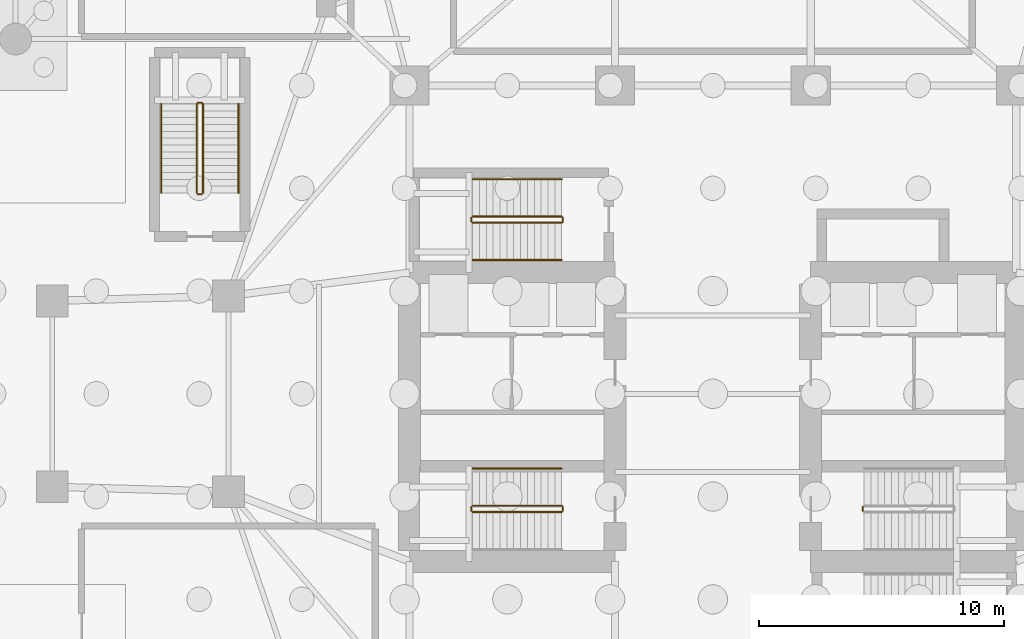
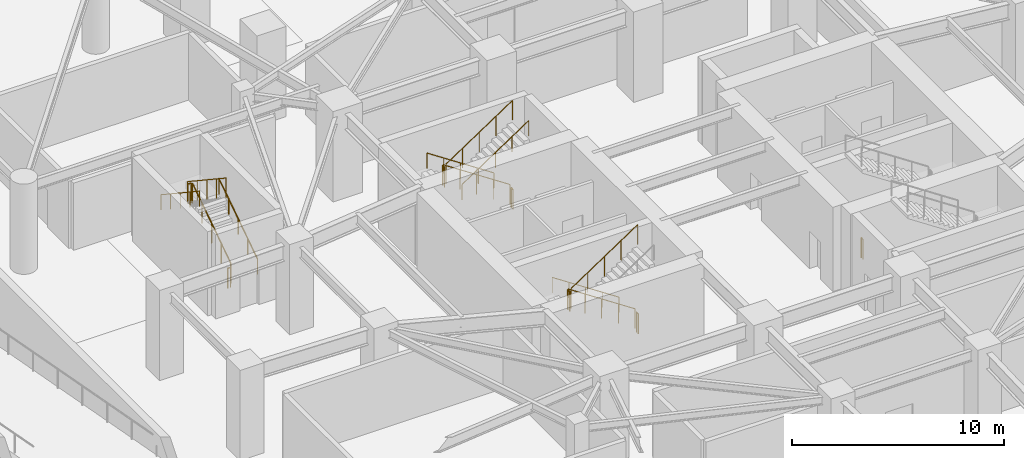
# One storey, part 11 of 14: 18 railings.
"""IFC4 building model written with IfcOpenShell, lengths in metres."""

from ifc_helpers import new_model, si_unit, direction, frame, origin, origin_2d, place, context, subcontext, project, spatial, circle, extrude, material, type_object, element, save


model = new_model("IFC4")

# Units and contexts
model_context = context("Model", 3, precision=1e-05, world=origin(), true_north=direction((0.0, 1.0)))
body_context = subcontext(model_context, "Body", "Model", "MODEL_VIEW")
ifc_project = project(units=[si_unit("LENGTHUNIT", "METRE"), si_unit("AREAUNIT", "SQUARE_METRE"), si_unit("VOLUMEUNIT", "CUBIC_METRE"), si_unit("PLANEANGLEUNIT", "RADIAN"), si_unit("MASSUNIT", "GRAM", prefix="KILO")], contexts=[model_context])

# Site, building, storey
site_placement = place(None, origin())
site = spatial("IfcSite", under=ifc_project, at=site_placement, CompositionType="ELEMENT")
building_placement = place(site_placement, origin())
building = spatial("IfcBuilding", under=site, at=building_placement, Name="Qingluan Cross Belvedere", CompositionType="ELEMENT")
storey_placement = place(building_placement, frame((0.0, 0.0, -10.39990234375)))
storey = spatial("IfcBuildingStorey", under=building, at=storey_placement, Name="B2", CompositionType="ELEMENT", Elevation=-10.39990234375)

# Railings
ifc_material_1 = material(Name="Brushed stainless steel tubular handrail", Category="steel")
railing_type_1 = type_object("IfcRailingType", Name="StairPitchHandrail_900", PredefinedType="HANDRAIL", material=ifc_material_1)
for number, where, name in (
    (1, (-6.179931640625, -3.050048828125, 0.185546875), "B2 ST1 stair handrail 1"),
    (2, (-6.179931640625, 8.77001953125, 0.185546875), "B2 ST3 stair handrail 1"),
):
    element("IfcRailing", number, at=place(storey_placement, frame(where)), inside=storey, type_object=railing_type_1, Name=name, PredefinedType="HANDRAIL", context=body_context, shape_type="SweptSolid", body=[
        extrude(circle(Radius=0.02392578125, at=origin_2d()), frame((0.0, 0.0, 0.8759765625), z_axis=(-0.833363587613, 0.0, 0.552725185641), x_axis=(0.0, -1.0, 0.0)), (0.0, 0.0, 1.0), 4.367919921875),
        extrude(circle(Radius=0.02099609375, at=origin_2d()), origin(), (0.0, 0.0, 1.0), 0.851806640625),
        extrude(circle(Radius=0.02099609375, at=origin_2d()), frame((-0.91015625, 0.0, 0.603515625)), (0.0, 0.0, 1.0), 0.851806640625),
        extrude(circle(Radius=0.02099609375, at=origin_2d()), frame((-1.820068359375, 0.0, 1.20703125)), (0.0, 0.0, 1.0), 0.851806640625),
        extrude(circle(Radius=0.02099609375, at=origin_2d()), frame((-2.72998046875, 0.0, 1.810791015625)), (0.0, 0.0, 1.0), 0.851806640625),
        extrude(circle(Radius=0.02099609375, at=origin_2d()), frame((-3.64013671875, 0.0, 2.414306640625)), (0.0, 0.0, 1.0), 0.851806640625),
    ])
railing_1_placement = place(storey_placement, frame((-9.820068359375, 5.469970703125, 2.78564453125)))
element("IfcRailing", 3, at=railing_1_placement, inside=storey, type_object=railing_type_1, Name="B2 ST3 stair handrail 2", PredefinedType="HANDRAIL", context=body_context, shape_type="SweptSolid", body=[
    extrude(circle(Radius=0.02392578125, at=origin_2d()), frame((0.0, 0.0, 0.8759765625), z_axis=(0.833363587613, 0.0, 0.552725185641), x_axis=(0.0, 1.0, 0.0)), (0.0, 0.0, 1.0), 4.367919921875),
    extrude(circle(Radius=0.02099609375, at=origin_2d()), origin(), (0.0, 0.0, 1.0), 0.851806640625),
    extrude(circle(Radius=0.02099609375, at=origin_2d()), frame((0.91015625, 0.0, 0.603515625)), (0.0, 0.0, 1.0), 0.851806640625),
    extrude(circle(Radius=0.02099609375, at=origin_2d()), frame((1.820068359375, 0.0, 1.20703125)), (0.0, 0.0, 1.0), 0.851806640625),
    extrude(circle(Radius=0.02099609375, at=origin_2d()), frame((2.72998046875, 0.0, 1.810791015625)), (0.0, 0.0, 1.0), 0.851806640625),
    extrude(circle(Radius=0.02099609375, at=origin_2d()), frame((3.64013671875, 0.0, 2.414306640625)), (0.0, 0.0, 1.0), 0.851806640625),
])
railing_2_placement = place(storey_placement, frame((-19.389892578125, 8.2099609375, 0.185546875)))
element("IfcRailing", 4, at=railing_2_placement, inside=storey, type_object=railing_type_1, Name="B2 ST5 stair handrail 1", PredefinedType="HANDRAIL", context=body_context, shape_type="SweptSolid", body=[
    extrude(circle(Radius=0.02392578125, at=origin_2d()), frame((0.0, 0.0, 0.8759765625), z_axis=(0.0, 0.833363587613, 0.552725185641), x_axis=(-1.0, 0.0, 0.0)), (0.0, 0.0, 1.0), 4.367919921875),
    extrude(circle(Radius=0.02099609375, at=origin_2d()), origin(), (0.0, 0.0, 1.0), 0.851806640625),
    extrude(circle(Radius=0.02099609375, at=origin_2d()), frame((0.0, 0.91015625, 0.603515625)), (0.0, 0.0, 1.0), 0.851806640625),
    extrude(circle(Radius=0.02099609375, at=origin_2d()), frame((0.0, 1.820068359375, 1.20703125)), (0.0, 0.0, 1.0), 0.851806640625),
    extrude(circle(Radius=0.02099609375, at=origin_2d()), frame((0.0, 2.72998046875, 1.810791015625)), (0.0, 0.0, 1.0), 0.851806640625),
    extrude(circle(Radius=0.02099609375, at=origin_2d()), frame((0.0, 3.64013671875, 2.414306640625)), (0.0, 0.0, 1.0), 0.851806640625),
])
railing_3_placement = place(storey_placement, frame((-22.550048828125, 11.85009765625, 2.78564453125)))
element("IfcRailing", 5, at=railing_3_placement, inside=storey, type_object=railing_type_1, Name="B2 ST5 stair handrail 2", PredefinedType="HANDRAIL", context=body_context, shape_type="SweptSolid", body=[
    extrude(circle(Radius=0.02392578125, at=origin_2d()), frame((0.0, 0.0, 0.8759765625), z_axis=(0.0, -0.833363587613, 0.552725185641), x_axis=(1.0, 0.0, 0.0)), (0.0, 0.0, 1.0), 4.367919921875),
    extrude(circle(Radius=0.02099609375, at=origin_2d()), origin(), (0.0, 0.0, 1.0), 0.851806640625),
    extrude(circle(Radius=0.02099609375, at=origin_2d()), frame((0.0, -0.91015625, 0.603515625)), (0.0, 0.0, 1.0), 0.851806640625),
    extrude(circle(Radius=0.02099609375, at=origin_2d()), frame((0.0, -1.820068359375, 1.20703125)), (0.0, 0.0, 1.0), 0.851806640625),
    extrude(circle(Radius=0.02099609375, at=origin_2d()), frame((0.0, -2.72998046875, 1.810791015625)), (0.0, 0.0, 1.0), 0.851806640625),
    extrude(circle(Radius=0.02099609375, at=origin_2d()), frame((0.0, -3.64013671875, 2.414306640625)), (0.0, 0.0, 1.0), 0.851806640625),
])
ifc_material_2 = material(Name="Painted steel stair well guard", Category="steel")
railing_type_2 = type_object("IfcRailingType", Name="StairWellGuard_1150", PredefinedType="BALUSTRADE", material=ifc_material_2)
railing_4_placement = place(storey_placement, frame((-6.179931640625, -4.570068359375, 0.185546875)))
element("IfcRailing", 6, at=railing_4_placement, inside=storey, type_object=railing_type_2, Name="B2 ST1 stair guard 1", PredefinedType="BALUSTRADE", context=body_context, shape_type="SweptSolid", body=[
    extrude(circle(Radius=0.02392578125, at=origin_2d()), frame((0.0, 0.0, 1.1259765625), z_axis=(-0.833363587613, 0.0, 0.552725185641), x_axis=(0.0, -1.0, 0.0)), (0.0, 0.0, 1.0), 4.367919921875),
    extrude(circle(Radius=0.02099609375, at=origin_2d()), origin(), (0.0, 0.0, 1.0), 1.101806640625),
    extrude(circle(Radius=0.02099609375, at=origin_2d()), frame((-0.91015625, 0.0, 0.603515625)), (0.0, 0.0, 1.0), 1.101806640625),
    extrude(circle(Radius=0.02099609375, at=origin_2d()), frame((-1.820068359375, 0.0, 1.20703125)), (0.0, 0.0, 1.0), 1.101806640625),
    extrude(circle(Radius=0.02099609375, at=origin_2d()), frame((-2.72998046875, 0.0, 1.810791015625)), (0.0, 0.0, 1.0), 1.101806640625),
    extrude(circle(Radius=0.02099609375, at=origin_2d()), frame((-3.64013671875, 0.0, 2.414306640625)), (0.0, 0.0, 1.0), 1.101806640625),
])
railing_5_placement = place(storey_placement, frame((-9.8701171875, -4.6201171875, 2.599853515625)))
element("IfcRailing", 7, at=railing_5_placement, inside=storey, type_object=railing_type_2, Name="B2 ST1 stair guard 2", PredefinedType="BALUSTRADE", context=body_context, shape_type="SweptSolid", body=[
    extrude(circle(Radius=0.02392578125, at=origin_2d()), frame((0.0, 0.0, 1.1259765625), z_axis=(0.0, -1.0, 0.0), x_axis=(1.0, 0.0, 0.0)), (0.0, 0.0, 1.0), 0.159912109375),
    extrude(circle(Radius=0.02099609375, at=origin_2d()), origin(), (0.0, 0.0, 1.0), 1.101806640625),
    extrude(circle(Radius=0.02099609375, at=origin_2d()), frame((0.0, -0.159912109375, 0.0)), (0.0, 0.0, 1.0), 1.101806640625),
])
railing_6_placement = place(storey_placement, frame((-9.820068359375, -4.830078125, 2.78564453125)))
element("IfcRailing", 8, at=railing_6_placement, inside=storey, type_object=railing_type_2, Name="B2 ST1 stair guard 3", PredefinedType="BALUSTRADE", context=body_context, shape_type="SweptSolid", body=[
    extrude(circle(Radius=0.02392578125, at=origin_2d()), frame((0.0, 0.0, 1.1259765625), z_axis=(0.833363587613, 0.0, 0.552725185641), x_axis=(0.0, 1.0, 0.0)), (0.0, 0.0, 1.0), 4.367919921875),
    extrude(circle(Radius=0.02099609375, at=origin_2d()), origin(), (0.0, 0.0, 1.0), 1.101806640625),
    extrude(circle(Radius=0.02099609375, at=origin_2d()), frame((0.91015625, 0.0, 0.603515625)), (0.0, 0.0, 1.0), 1.101806640625),
    extrude(circle(Radius=0.02099609375, at=origin_2d()), frame((1.820068359375, 0.0, 1.20703125)), (0.0, 0.0, 1.0), 1.101806640625),
    extrude(circle(Radius=0.02099609375, at=origin_2d()), frame((2.72998046875, 0.0, 1.810791015625)), (0.0, 0.0, 1.0), 1.101806640625),
    extrude(circle(Radius=0.02099609375, at=origin_2d()), frame((3.64013671875, 0.0, 2.414306640625)), (0.0, 0.0, 1.0), 1.101806640625),
])
railing_7_placement = place(storey_placement, frame((-6.1298828125, -4.6201171875, 0.0)))
element("IfcRailing", 9, at=railing_7_placement, inside=storey, type_object=railing_type_2, Name="B2 ST1 stair guard 4", PredefinedType="BALUSTRADE", context=body_context, shape_type="SweptSolid", body=[
    extrude(circle(Radius=0.02392578125, at=origin_2d()), frame((0.0, 0.0, 1.1259765625), z_axis=(0.0, -1.0, 0.0), x_axis=(1.0, 0.0, 0.0)), (0.0, 0.0, 1.0), 0.159912109375),
    extrude(circle(Radius=0.02099609375, at=origin_2d()), origin(), (0.0, 0.0, 1.0), 1.101806640625),
    extrude(circle(Radius=0.02099609375, at=origin_2d()), frame((0.0, -0.159912109375, 0.0)), (0.0, 0.0, 1.0), 1.101806640625),
])
railing_8_placement = place(storey_placement, frame((6.1298828125, -4.780029296875, 0.0)))
element("IfcRailing", 10, at=railing_8_placement, inside=storey, type_object=railing_type_2, Name="B2 ST2 stair guard 4", PredefinedType="BALUSTRADE", context=body_context, shape_type="SweptSolid", body=[
    extrude(circle(Radius=0.02392578125, at=origin_2d()), frame((0.0, 0.0, 1.1259765625), z_axis=(0.0, 1.0, 0.0), x_axis=(-1.0, 0.0, 0.0)), (0.0, 0.0, 1.0), 0.159912109375),
    extrude(circle(Radius=0.02099609375, at=origin_2d()), origin(), (0.0, 0.0, 1.0), 1.101806640625),
    extrude(circle(Radius=0.02099609375, at=origin_2d()), frame((0.0, 0.159912109375, 0.0)), (0.0, 0.0, 1.0), 1.101806640625),
])
railing_9_placement = place(storey_placement, frame((-6.179931640625, 7.25, 0.185546875)))
element("IfcRailing", 11, at=railing_9_placement, inside=storey, type_object=railing_type_2, Name="B2 ST3 stair guard 1", PredefinedType="BALUSTRADE", context=body_context, shape_type="SweptSolid", body=[
    extrude(circle(Radius=0.02392578125, at=origin_2d()), frame((0.0, 0.0, 1.1259765625), z_axis=(-0.833363587613, 0.0, 0.552725185641), x_axis=(0.0, -1.0, 0.0)), (0.0, 0.0, 1.0), 4.367919921875),
    extrude(circle(Radius=0.02099609375, at=origin_2d()), origin(), (0.0, 0.0, 1.0), 1.101806640625),
    extrude(circle(Radius=0.02099609375, at=origin_2d()), frame((-0.91015625, 0.0, 0.603515625)), (0.0, 0.0, 1.0), 1.101806640625),
    extrude(circle(Radius=0.02099609375, at=origin_2d()), frame((-1.820068359375, 0.0, 1.20703125)), (0.0, 0.0, 1.0), 1.101806640625),
    extrude(circle(Radius=0.02099609375, at=origin_2d()), frame((-2.72998046875, 0.0, 1.810791015625)), (0.0, 0.0, 1.0), 1.101806640625),
    extrude(circle(Radius=0.02099609375, at=origin_2d()), frame((-3.64013671875, 0.0, 2.414306640625)), (0.0, 0.0, 1.0), 1.101806640625),
])
railing_10_placement = place(storey_placement, frame((-9.8701171875, 7.199951171875, 2.599853515625)))
element("IfcRailing", 12, at=railing_10_placement, inside=storey, type_object=railing_type_2, Name="B2 ST3 stair guard 2", PredefinedType="BALUSTRADE", context=body_context, shape_type="SweptSolid", body=[
    extrude(circle(Radius=0.02392578125, at=origin_2d()), frame((0.0, 0.0, 1.1259765625), z_axis=(0.0, -1.0, 0.0), x_axis=(1.0, 0.0, 0.0)), (0.0, 0.0, 1.0), 0.159912109375),
    extrude(circle(Radius=0.02099609375, at=origin_2d()), origin(), (0.0, 0.0, 1.0), 1.101806640625),
    extrude(circle(Radius=0.02099609375, at=origin_2d()), frame((0.0, -0.159912109375, 0.0)), (0.0, 0.0, 1.0), 1.101806640625),
])
railing_11_placement = place(storey_placement, frame((-9.820068359375, 6.989990234375, 2.78564453125)))
element("IfcRailing", 13, at=railing_11_placement, inside=storey, type_object=railing_type_2, Name="B2 ST3 stair guard 3", PredefinedType="BALUSTRADE", context=body_context, shape_type="SweptSolid", body=[
    extrude(circle(Radius=0.02392578125, at=origin_2d()), frame((0.0, 0.0, 1.1259765625), z_axis=(0.833363587613, 0.0, 0.552725185641), x_axis=(0.0, 1.0, 0.0)), (0.0, 0.0, 1.0), 4.367919921875),
    extrude(circle(Radius=0.02099609375, at=origin_2d()), origin(), (0.0, 0.0, 1.0), 1.101806640625),
    extrude(circle(Radius=0.02099609375, at=origin_2d()), frame((0.91015625, 0.0, 0.603515625)), (0.0, 0.0, 1.0), 1.101806640625),
    extrude(circle(Radius=0.02099609375, at=origin_2d()), frame((1.820068359375, 0.0, 1.20703125)), (0.0, 0.0, 1.0), 1.101806640625),
    extrude(circle(Radius=0.02099609375, at=origin_2d()), frame((2.72998046875, 0.0, 1.810791015625)), (0.0, 0.0, 1.0), 1.101806640625),
    extrude(circle(Radius=0.02099609375, at=origin_2d()), frame((3.64013671875, 0.0, 2.414306640625)), (0.0, 0.0, 1.0), 1.101806640625),
])
railing_12_placement = place(storey_placement, frame((-6.1298828125, 7.199951171875, 0.0)))
element("IfcRailing", 14, at=railing_12_placement, inside=storey, type_object=railing_type_2, Name="B2 ST3 stair guard 4", PredefinedType="BALUSTRADE", context=body_context, shape_type="SweptSolid", body=[
    extrude(circle(Radius=0.02392578125, at=origin_2d()), frame((0.0, 0.0, 1.1259765625), z_axis=(0.0, -1.0, 0.0), x_axis=(1.0, 0.0, 0.0)), (0.0, 0.0, 1.0), 0.159912109375),
    extrude(circle(Radius=0.02099609375, at=origin_2d()), origin(), (0.0, 0.0, 1.0), 1.101806640625),
    extrude(circle(Radius=0.02099609375, at=origin_2d()), frame((0.0, -0.159912109375, 0.0)), (0.0, 0.0, 1.0), 1.101806640625),
])
railing_13_placement = place(storey_placement, frame((-20.840087890625, 8.2099609375, 0.185546875)))
element("IfcRailing", 15, at=railing_13_placement, inside=storey, type_object=railing_type_2, Name="B2 ST5 stair guard 1", PredefinedType="BALUSTRADE", context=body_context, shape_type="SweptSolid", body=[
    extrude(circle(Radius=0.02392578125, at=origin_2d()), frame((0.0, 0.0, 1.1259765625), z_axis=(0.0, 0.833363587613, 0.552725185641), x_axis=(-1.0, 0.0, 0.0)), (0.0, 0.0, 1.0), 4.367919921875),
    extrude(circle(Radius=0.02099609375, at=origin_2d()), origin(), (0.0, 0.0, 1.0), 1.101806640625),
    extrude(circle(Radius=0.02099609375, at=origin_2d()), frame((0.0, 0.91015625, 0.603515625)), (0.0, 0.0, 1.0), 1.101806640625),
    extrude(circle(Radius=0.02099609375, at=origin_2d()), frame((0.0, 1.820068359375, 1.20703125)), (0.0, 0.0, 1.0), 1.101806640625),
    extrude(circle(Radius=0.02099609375, at=origin_2d()), frame((0.0, 2.72998046875, 1.810791015625)), (0.0, 0.0, 1.0), 1.101806640625),
    extrude(circle(Radius=0.02099609375, at=origin_2d()), frame((0.0, 3.64013671875, 2.414306640625)), (0.0, 0.0, 1.0), 1.101806640625),
])
railing_14_placement = place(storey_placement, frame((-20.889892578125, 11.89990234375, 2.599853515625)))
element("IfcRailing", 16, at=railing_14_placement, inside=storey, type_object=railing_type_2, Name="B2 ST5 stair guard 2", PredefinedType="BALUSTRADE", context=body_context, shape_type="SweptSolid", body=[
    extrude(circle(Radius=0.02392578125, at=origin_2d()), frame((0.0, 0.0, 1.1259765625), z_axis=(-1.0, 0.0, 0.0), x_axis=(0.0, -1.0, 0.0)), (0.0, 0.0, 1.0), 0.16015625),
    extrude(circle(Radius=0.02099609375, at=origin_2d()), origin(), (0.0, 0.0, 1.0), 1.101806640625),
    extrude(circle(Radius=0.02099609375, at=origin_2d()), frame((-0.16015625, 0.0, 0.0)), (0.0, 0.0, 1.0), 1.101806640625),
])
railing_15_placement = place(storey_placement, frame((-21.10009765625, 11.85009765625, 2.78564453125)))
element("IfcRailing", 17, at=railing_15_placement, inside=storey, type_object=railing_type_2, Name="B2 ST5 stair guard 3", PredefinedType="BALUSTRADE", context=body_context, shape_type="SweptSolid", body=[
    extrude(circle(Radius=0.02392578125, at=origin_2d()), frame((0.0, 0.0, 1.1259765625), z_axis=(0.0, -0.833363587613, 0.552725185641), x_axis=(1.0, 0.0, 0.0)), (0.0, 0.0, 1.0), 4.367919921875),
    extrude(circle(Radius=0.02099609375, at=origin_2d()), origin(), (0.0, 0.0, 1.0), 1.101806640625),
    extrude(circle(Radius=0.02099609375, at=origin_2d()), frame((0.0, -0.91015625, 0.603515625)), (0.0, 0.0, 1.0), 1.101806640625),
    extrude(circle(Radius=0.02099609375, at=origin_2d()), frame((0.0, -1.820068359375, 1.20703125)), (0.0, 0.0, 1.0), 1.101806640625),
    extrude(circle(Radius=0.02099609375, at=origin_2d()), frame((0.0, -2.72998046875, 1.810791015625)), (0.0, 0.0, 1.0), 1.101806640625),
    extrude(circle(Radius=0.02099609375, at=origin_2d()), frame((0.0, -3.64013671875, 2.414306640625)), (0.0, 0.0, 1.0), 1.101806640625),
])
railing_16_placement = place(storey_placement, frame((-20.889892578125, 8.159912109375, 0.0)))
element("IfcRailing", 18, at=railing_16_placement, inside=storey, type_object=railing_type_2, Name="B2 ST5 stair guard 4", PredefinedType="BALUSTRADE", context=body_context, shape_type="SweptSolid", body=[
    extrude(circle(Radius=0.02392578125, at=origin_2d()), frame((0.0, 0.0, 1.1259765625), z_axis=(-1.0, 0.0, 0.0), x_axis=(0.0, -1.0, 0.0)), (0.0, 0.0, 1.0), 0.16015625),
    extrude(circle(Radius=0.02099609375, at=origin_2d()), origin(), (0.0, 0.0, 1.0), 1.101806640625),
    extrude(circle(Radius=0.02099609375, at=origin_2d()), frame((-0.16015625, 0.0, 0.0)), (0.0, 0.0, 1.0), 1.101806640625),
])

save(model, "model.ifc")
